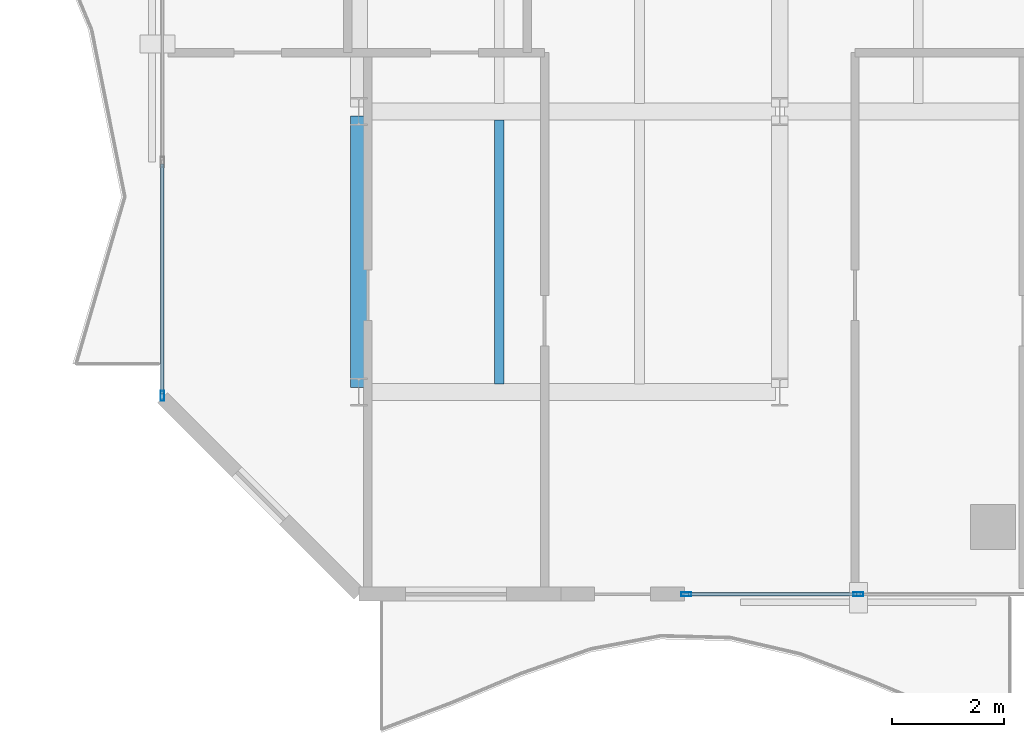
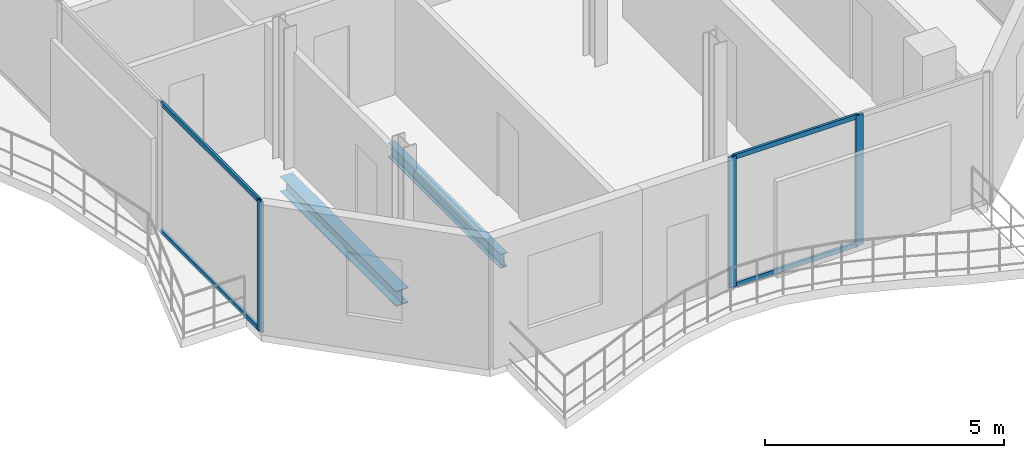
# One storey, part 3 of 24: 7 members, 2 beams, 2 elements without a shape of their own.
"""IFC4 building model written with IfcOpenShell, lengths in metres."""

from ifc_helpers import new_model, si_unit, direction, frame, origin, origin_2d, place, context, subcontext, project, spatial, hollow_rectangle, i_section, extrude, material, layer, layer_set, material_profile, profile_set, type_object, element, aggregate, save


model = new_model("IFC4")

# Units and contexts
model_context = context("Model", 3, precision=1e-05, world=origin(), true_north=direction((0.0, 1.0)))
body_context = subcontext(model_context, "Body", "Model", "MODEL_VIEW")
ifc_project = project(units=[si_unit("LENGTHUNIT", "METRE"), si_unit("AREAUNIT", "SQUARE_METRE"), si_unit("VOLUMEUNIT", "CUBIC_METRE"), si_unit("PLANEANGLEUNIT", "RADIAN"), si_unit("MASSUNIT", "GRAM", prefix="KILO")], contexts=[model_context])

# Site, building, storey
site_placement = place(None, origin())
site = spatial("IfcSite", under=ifc_project, at=site_placement, CompositionType="ELEMENT")
building_placement = place(site_placement, origin())
building = spatial("IfcBuilding", under=site, at=building_placement, Name="Catumbela Crestline Tower", CompositionType="ELEMENT")
storey_placement = place(building_placement, frame((0.0, 0.0, 157.8)))
storey = spatial("IfcBuildingStorey", under=building, at=storey_placement, Name="L40", CompositionType="ELEMENT", Elevation=157.8)

# Beams
ifc_material_1 = material(Name="Structural steel S355J2", Category="steel")
ifc_material_profile_1 = material_profile(ifc_material_1, i_section(OverallWidth=0.3, OverallDepth=0.39, WebThickness=0.011, FlangeThickness=0.019, FilletRadius=0.027, at=origin_2d()), Name="HEA 400")
ifc_profile_set_1 = profile_set([ifc_material_profile_1], Name="Structural steel S355J2")
beam_type_1 = type_object("IfcBeamType", Name="BG-HEA400", PredefinedType="BEAM", material=ifc_profile_set_1)
beam_1_placement = place(storey_placement, frame((8.5, 8.68, -0.455), z_axis=(0.0, 1.0, 0.0), x_axis=(-1.0, 0.0, 0.0)))
element("IfcBeam", 1, at=beam_1_placement, inside=storey, type_object=beam_type_1, Name="L40 Beam BM-L40-WNS37", PredefinedType="BEAM", context=body_context, shape_type="SweptSolid", body=[
    extrude(i_section(OverallWidth=0.3, OverallDepth=0.39, WebThickness=0.011, FlangeThickness=0.019, FilletRadius=0.027, at=origin_2d()), origin(), (0.0, 0.0, 1.0), 4.84),
])
ifc_material_profile_2 = material_profile(ifc_material_1, i_section(OverallWidth=0.17, OverallDepth=0.36, WebThickness=0.008, FlangeThickness=0.0127, FilletRadius=0.018, at=origin_2d()), Name="IPE 360")
ifc_profile_set_2 = profile_set([ifc_material_profile_2], Name="Structural steel S355J2")
beam_type_2 = type_object("IfcBeamType", Name="BJ-IPE360", PredefinedType="JOIST", material=ifc_profile_set_2)
beam_2_placement = place(storey_placement, frame((11.0, 8.747, -0.44), z_axis=(0.0, 1.0, 0.0), x_axis=(-1.0, 0.0, 0.0)))
element("IfcBeam", 2, at=beam_2_placement, inside=storey, type_object=beam_type_2, Name="L40 Joist JS-L40-WG44", PredefinedType="JOIST", context=body_context, shape_type="SweptSolid", body=[
    extrude(i_section(OverallWidth=0.17, OverallDepth=0.36, WebThickness=0.008, FlangeThickness=0.0127, FilletRadius=0.018, at=origin_2d()), origin(), (0.0, 0.0, 1.0), 4.706),
])

# Curtain wall, members
ifc_material_2 = material(Name="Aluminium alloy AW-6060-T66", Category="aluminium")
ifc_layer = layer(ifc_material_2, 0.18, Name="Aluminium alloy AW-6060-T66")
ifc_layer_set = layer_set([ifc_layer], Name="Aluminium alloy AW-6060-T66")
curtain_wall_type = type_object("IfcCurtainWallType", Name="CWU-Z3", PredefinedType="USERDEFINED", material=ifc_layer_set)
curtain_wall_1_placement = place(storey_placement, origin())
curtain_wall_1 = element("IfcCurtainWall", 3, at=curtain_wall_1_placement, inside=storey, type_object=curtain_wall_type, Name="L40 Unitised Curtain Wall CW-L40-E0S2", ObjectType="UNITISED", PredefinedType="USERDEFINED")
ifc_material_profile_3 = material_profile(ifc_material_2, hollow_rectangle(XDim=0.065, YDim=0.18, WallThickness=0.004, at=origin_2d()), Name="ALU 180x65x4")
ifc_profile_set_3 = profile_set([ifc_material_profile_3], Name="Aluminium alloy AW-6060-T66")
member_type_1 = type_object("IfcMemberType", Name="MUL-180X65", PredefinedType="MULLION", material=ifc_profile_set_3)
member_1_placement = place(storey_placement, frame((14.3325, 5.0, 0.0), z_axis=(0.0, 0.0, 1.0), x_axis=(0.0, 1.0, 0.0)))
member_1 = element("IfcMember", 4, at=member_1_placement, type_object=member_type_1, Name="CWU-Z3 mullion 1", PredefinedType="MULLION", context=body_context, shape_type="SweptSolid", body=[
    extrude(hollow_rectangle(XDim=0.065, YDim=0.18, WallThickness=0.004, at=origin_2d()), origin(), (0.0, 0.0, 1.0), 3.33),
])
member_2_placement = place(storey_placement, frame((17.4, 5.0, 0.0), z_axis=(0.0, 0.0, 1.0), x_axis=(0.0, 1.0, 0.0)))
member_2 = element("IfcMember", 5, at=member_2_placement, type_object=member_type_1, Name="CWU-Z3 mullion 2", PredefinedType="MULLION", context=body_context, shape_type="SweptSolid", body=[
    extrude(hollow_rectangle(XDim=0.065, YDim=0.18, WallThickness=0.004, at=origin_2d()), origin(), (0.0, 0.0, 1.0), 3.33),
])

# Curtain wall, member
curtain_wall_2_placement = place(storey_placement, origin())
curtain_wall_2 = element("IfcCurtainWall", 6, at=curtain_wall_2_placement, inside=storey, type_object=curtain_wall_type, Name="L40 Unitised Curtain Wall CW-L40-E9S2", ObjectType="UNITISED", PredefinedType="USERDEFINED")
member_3_placement = place(storey_placement, frame((5.0, 8.5325, 0.0), z_axis=(0.0, 0.0, 1.0), x_axis=(1.0, 0.0, 0.0)))
member_3 = element("IfcMember", 7, at=member_3_placement, type_object=member_type_1, Name="CWU-Z3 mullion 7", PredefinedType="MULLION", context=body_context, shape_type="SweptSolid", body=[
    extrude(hollow_rectangle(XDim=0.065, YDim=0.18, WallThickness=0.004, at=origin_2d()), origin(), (0.0, 0.0, 1.0), 3.33),
])

# Member
ifc_material_profile_4 = material_profile(ifc_material_2, hollow_rectangle(XDim=0.06, YDim=0.12, WallThickness=0.0035, at=origin_2d()), Name="ALU 120x60x3.5")
ifc_profile_set_4 = profile_set([ifc_material_profile_4], Name="Aluminium alloy AW-6060-T66")
member_type_2 = type_object("IfcMemberType", Name="TRN-120X60", PredefinedType="USERDEFINED", material=ifc_profile_set_4)
member_4_placement = place(storey_placement, frame((14.365, 5.0, 0.03), z_axis=(1.0, 0.0, 0.0), x_axis=(0.0, 1.0, 0.0)))
member_4 = element("IfcMember", 8, at=member_4_placement, type_object=member_type_2, Name="CWU-Z3 transom 1.1", ObjectType="TRANSOM", PredefinedType="USERDEFINED", context=body_context, shape_type="SweptSolid", body=[
    extrude(hollow_rectangle(XDim=0.06, YDim=0.12, WallThickness=0.0035, at=origin_2d()), origin(), (0.0, 0.0, 1.0), 3.0025),
])

member_5_placement = place(storey_placement, frame((14.365, 5.0, 3.3), z_axis=(1.0, 0.0, 0.0), x_axis=(0.0, 1.0, 0.0)))
member_5 = element("IfcMember", 9, at=member_5_placement, type_object=member_type_2, Name="CWU-Z3 transom 1.2", ObjectType="TRANSOM", PredefinedType="USERDEFINED", context=body_context, shape_type="SweptSolid", body=[
    extrude(hollow_rectangle(XDim=0.06, YDim=0.12, WallThickness=0.0035, at=origin_2d()), origin(), (0.0, 0.0, 1.0), 3.0025),
])

aggregate(curtain_wall_1, [member_1, member_2, member_4, member_5])

member_6_placement = place(storey_placement, frame((5.0, 12.6675, 0.03), z_axis=(0.0, -1.0, 0.0), x_axis=(1.0, 0.0, 0.0)))
member_6 = element("IfcMember", 10, at=member_6_placement, type_object=member_type_2, Name="CWU-Z3 transom 6.1", ObjectType="TRANSOM", PredefinedType="USERDEFINED", context=body_context, shape_type="SweptSolid", body=[
    extrude(hollow_rectangle(XDim=0.06, YDim=0.12, WallThickness=0.0035, at=origin_2d()), origin(), (0.0, 0.0, 1.0), 4.1025),
])

member_7_placement = place(storey_placement, frame((5.0, 12.6675, 3.3), z_axis=(0.0, -1.0, 0.0), x_axis=(1.0, 0.0, 0.0)))
member_7 = element("IfcMember", 11, at=member_7_placement, type_object=member_type_2, Name="CWU-Z3 transom 6.2", ObjectType="TRANSOM", PredefinedType="USERDEFINED", context=body_context, shape_type="SweptSolid", body=[
    extrude(hollow_rectangle(XDim=0.06, YDim=0.12, WallThickness=0.0035, at=origin_2d()), origin(), (0.0, 0.0, 1.0), 4.1025),
])

aggregate(curtain_wall_2, [member_3, member_6, member_7])

save(model, "model.ifc")
